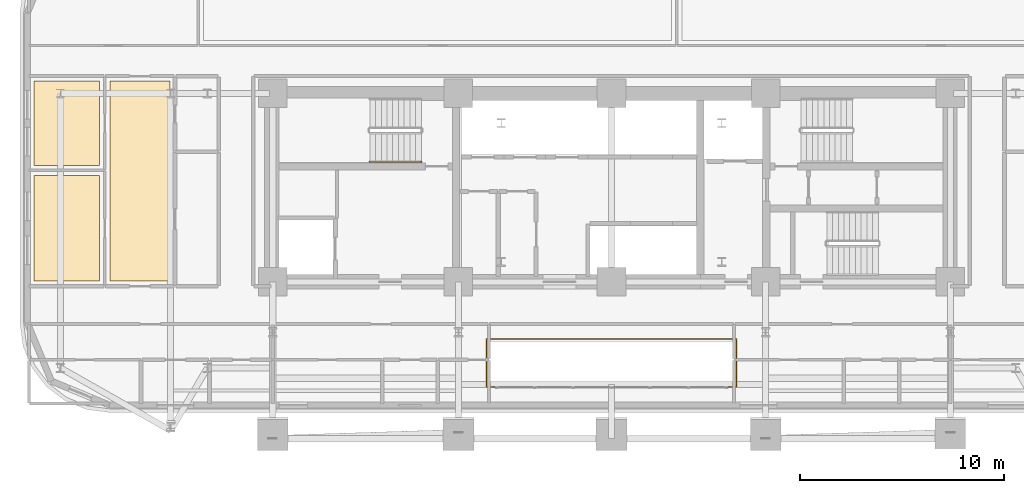
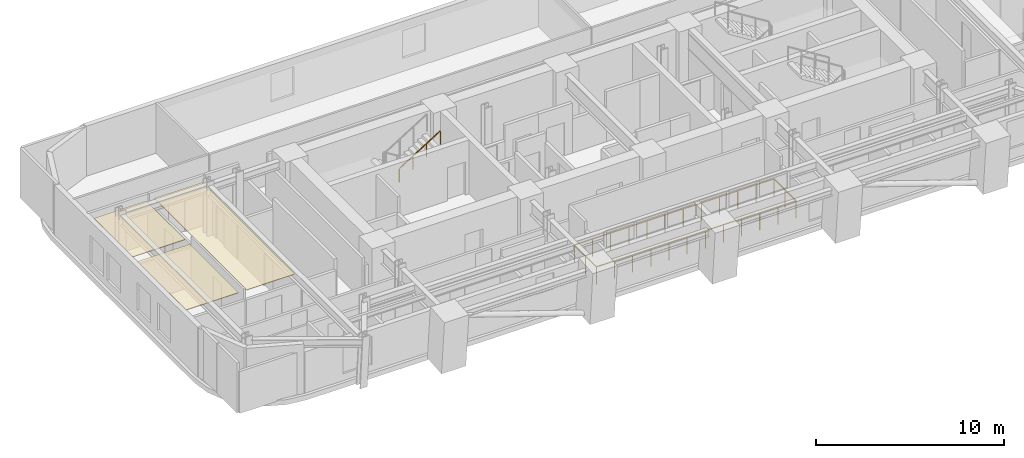
# One storey, part 13 of 16: 3 coverings, 2 railings.
"""IFC4 building model written with IfcOpenShell, lengths in metres."""

from ifc_helpers import new_model, si_unit, direction, frame, origin, origin_2d, place, context, subcontext, project, spatial, polyline, rectangle, outline, extrude, material, layer, layer_set, type_object, element, save


model = new_model("IFC4")

# Units and contexts
model_context = context("Model", 3, precision=1e-05, world=origin(), true_north=direction((0.0, 1.0)))
body_context = subcontext(model_context, "Body", "Model", "MODEL_VIEW")
ifc_project = project(units=[si_unit("LENGTHUNIT", "METRE"), si_unit("AREAUNIT", "SQUARE_METRE"), si_unit("VOLUMEUNIT", "CUBIC_METRE"), si_unit("PLANEANGLEUNIT", "RADIAN"), si_unit("MASSUNIT", "GRAM", prefix="KILO")], contexts=[model_context])

# Site, building, storey
site_placement = place(None, origin())
site = spatial("IfcSite", under=ifc_project, at=site_placement, CompositionType="ELEMENT")
building_placement = place(site_placement, origin())
building = spatial("IfcBuilding", under=site, at=building_placement, Name="Zarnavel Station Tower", CompositionType="ELEMENT")
storey_placement = place(building_placement, frame((0.0, 0.0, 64.0)))
storey = spatial("IfcBuildingStorey", under=building, at=storey_placement, Name="L17", CompositionType="ELEMENT", Elevation=64.0)

# Coverings
ifc_material_1 = material(Name="Perforated Gypsum and Mineral-Wool Acoustic Ceiling", Category="concrete")
ifc_layer = layer(ifc_material_1, 0.0400390625)
ifc_layer_set = layer_set([ifc_layer], Name="COV_CEIL_ACOUSTIC")
covering_type = type_object("IfcCoveringType", Name="COV_CEIL_ACOUSTIC", PredefinedType="CEILING", material=ifc_layer_set)
covering_1_placement = place(storey_placement, frame((0.0, 0.0, 2.919921875)))
element("IfcCovering", 1, at=covering_1_placement, inside=storey, type_object=covering_type, Name="L17 FNWLV Acoustic Ceiling", PredefinedType="CEILING", context=body_context, shape_type="SweptSolid", body=[
    extrude(outline(polyline([(4.22607421875, 27.85009765625), (7.1630859375, 27.85009765625), (7.1630859375, 37.64990234375), (4.22607421875, 37.64990234375), (4.22607421875, 27.85009765625)])), origin(), (0.0, 0.0, 1.0), 0.0400390625),
])
covering_2_placement = place(storey_placement, frame((0.0, 0.0, 2.919921875)))
element("IfcCovering", 2, at=covering_2_placement, inside=storey, type_object=covering_type, Name="L17 FNWB1 Acoustic Ceiling", PredefinedType="CEILING", context=body_context, shape_type="SweptSolid", body=[
    extrude(outline(polyline([(0.510009765625, 27.85009765625), (3.72607421875, 27.85009765625), (3.72607421875, 33.029052734375), (0.510009765625, 33.029052734375), (0.510009765625, 27.85009765625)])), origin(), (0.0, 0.0, 1.0), 0.0400390625),
])
covering_3_placement = place(storey_placement, frame((0.0, 0.0, 2.919921875)))
element("IfcCovering", 3, at=covering_3_placement, inside=storey, type_object=covering_type, Name="L17 FNWB2 Acoustic Ceiling", PredefinedType="CEILING", context=body_context, shape_type="SweptSolid", body=[
    extrude(outline(polyline([(0.510009765625, 33.529052734375), (3.72607421875, 33.529052734375), (3.72607421875, 37.64990234375), (0.510009765625, 37.64990234375), (0.510009765625, 33.529052734375)])), origin(), (0.0, 0.0, 1.0), 0.0400390625),
])

# Railings
ifc_material_2 = material(Name="Painted Steel S355J2 Balustrade", Category="steel")
railing_type_1 = type_object("IfcRailingType", Name="GR_INT_1150", PredefinedType="GUARDRAIL", material=ifc_material_2)
railing_1_placement = place(storey_placement, frame((22.679931640625, 22.679931640625, 0.0)))
element("IfcRailing", 4, at=railing_1_placement, inside=storey, type_object=railing_type_1, Name="L17 Atrium Void Guardrail", PredefinedType="GUARDRAIL", context=body_context, shape_type="SweptSolid", body=[
    extrude(rectangle(XDim=0.048095703125, YDim=0.048095703125, at=origin_2d()), frame((0.001953125, 0.0, 1.1259765625), z_axis=(1.0, 0.0, 0.0), x_axis=(0.0, 1.0, 0.0)), (0.0, 0.0, 1.0), 12.236083984375),
    extrude(rectangle(XDim=0.048095703125, YDim=0.048095703125, at=origin_2d()), frame((12.239990234375, 0.001953125, 1.1259765625), z_axis=(0.0, 1.0, 0.0), x_axis=(-1.0, 0.0, 0.0)), (0.0, 0.0, 1.0), 2.336181640625),
    extrude(rectangle(XDim=0.048095703125, YDim=0.048095703125, at=origin_2d()), frame((12.238037109375, 2.340087890625, 1.1259765625), z_axis=(-1.0, 0.0, 0.0), x_axis=(0.0, -1.0, 0.0)), (0.0, 0.0, 1.0), 12.236083984375),
    extrude(rectangle(XDim=0.048095703125, YDim=0.048095703125, at=origin_2d()), frame((0.0, 2.338134765625, 1.1259765625), z_axis=(0.0, -1.0, 0.0), x_axis=(1.0, 0.0, 0.0)), (0.0, 0.0, 1.0), 2.336181640625),
    extrude(rectangle(XDim=0.0419921875, YDim=0.0419921875, at=origin_2d()), origin(), (0.0, 0.0, 1.0), 1.101806640625),
    extrude(rectangle(XDim=0.0419921875, YDim=0.0419921875, at=origin_2d()), frame((1.11279296875, 0.0, 0.0)), (0.0, 0.0, 1.0), 1.101806640625),
    extrude(rectangle(XDim=0.0419921875, YDim=0.0419921875, at=origin_2d()), frame((2.225341796875, 0.0, 0.0)), (0.0, 0.0, 1.0), 1.101806640625),
    extrude(rectangle(XDim=0.0419921875, YDim=0.0419921875, at=origin_2d()), frame((3.338134765625, 0.0, 0.0)), (0.0, 0.0, 1.0), 1.101806640625),
    extrude(rectangle(XDim=0.0419921875, YDim=0.0419921875, at=origin_2d()), frame((4.450927734375, 0.0, 0.0)), (0.0, 0.0, 1.0), 1.101806640625),
    extrude(rectangle(XDim=0.0419921875, YDim=0.0419921875, at=origin_2d()), frame((5.563720703125, 0.0, 0.0)), (0.0, 0.0, 1.0), 1.101806640625),
    extrude(rectangle(XDim=0.0419921875, YDim=0.0419921875, at=origin_2d()), frame((6.67626953125, 0.0, 0.0)), (0.0, 0.0, 1.0), 1.101806640625),
    extrude(rectangle(XDim=0.0419921875, YDim=0.0419921875, at=origin_2d()), frame((7.7890625, 0.0, 0.0)), (0.0, 0.0, 1.0), 1.101806640625),
    extrude(rectangle(XDim=0.0419921875, YDim=0.0419921875, at=origin_2d()), frame((8.90185546875, 0.0, 0.0)), (0.0, 0.0, 1.0), 1.101806640625),
    extrude(rectangle(XDim=0.0419921875, YDim=0.0419921875, at=origin_2d()), frame((10.0146484375, 0.0, 0.0)), (0.0, 0.0, 1.0), 1.101806640625),
    extrude(rectangle(XDim=0.0419921875, YDim=0.0419921875, at=origin_2d()), frame((11.127197265625, 0.0, 0.0)), (0.0, 0.0, 1.0), 1.101806640625),
    extrude(rectangle(XDim=0.0419921875, YDim=0.0419921875, at=origin_2d()), frame((12.239990234375, 0.0, 0.0)), (0.0, 0.0, 1.0), 1.101806640625),
    extrude(rectangle(XDim=0.0419921875, YDim=0.0419921875, at=origin_2d()), frame((12.239990234375, 1.169921875, 0.0)), (0.0, 0.0, 1.0), 1.101806640625),
    extrude(rectangle(XDim=0.0419921875, YDim=0.0419921875, at=origin_2d()), frame((12.239990234375, 2.340087890625, 0.0)), (0.0, 0.0, 1.0), 1.101806640625),
    extrude(rectangle(XDim=0.0419921875, YDim=0.0419921875, at=origin_2d()), frame((11.127197265625, 2.340087890625, 0.0)), (0.0, 0.0, 1.0), 1.101806640625),
    extrude(rectangle(XDim=0.0419921875, YDim=0.0419921875, at=origin_2d()), frame((10.0146484375, 2.340087890625, 0.0)), (0.0, 0.0, 1.0), 1.101806640625),
    extrude(rectangle(XDim=0.0419921875, YDim=0.0419921875, at=origin_2d()), frame((8.90185546875, 2.340087890625, 0.0)), (0.0, 0.0, 1.0), 1.101806640625),
    extrude(rectangle(XDim=0.0419921875, YDim=0.0419921875, at=origin_2d()), frame((7.7890625, 2.340087890625, 0.0)), (0.0, 0.0, 1.0), 1.101806640625),
    extrude(rectangle(XDim=0.0419921875, YDim=0.0419921875, at=origin_2d()), frame((6.67626953125, 2.340087890625, 0.0)), (0.0, 0.0, 1.0), 1.101806640625),
    extrude(rectangle(XDim=0.0419921875, YDim=0.0419921875, at=origin_2d()), frame((5.563720703125, 2.340087890625, 0.0)), (0.0, 0.0, 1.0), 1.101806640625),
    extrude(rectangle(XDim=0.0419921875, YDim=0.0419921875, at=origin_2d()), frame((4.450927734375, 2.340087890625, 0.0)), (0.0, 0.0, 1.0), 1.101806640625),
    extrude(rectangle(XDim=0.0419921875, YDim=0.0419921875, at=origin_2d()), frame((3.338134765625, 2.340087890625, 0.0)), (0.0, 0.0, 1.0), 1.101806640625),
    extrude(rectangle(XDim=0.0419921875, YDim=0.0419921875, at=origin_2d()), frame((2.225341796875, 2.340087890625, 0.0)), (0.0, 0.0, 1.0), 1.101806640625),
    extrude(rectangle(XDim=0.0419921875, YDim=0.0419921875, at=origin_2d()), frame((1.11279296875, 2.340087890625, 0.0)), (0.0, 0.0, 1.0), 1.101806640625),
    extrude(rectangle(XDim=0.0419921875, YDim=0.0419921875, at=origin_2d()), frame((0.0, 2.340087890625, 0.0)), (0.0, 0.0, 1.0), 1.101806640625),
    extrude(rectangle(XDim=0.0419921875, YDim=0.0419921875, at=origin_2d()), frame((0.0, 1.169921875, 0.0)), (0.0, 0.0, 1.0), 1.101806640625),
])
ifc_material_3 = material(Name="Brushed Stainless Steel S355J2 Handrail", Category="steel")
railing_type_2 = type_object("IfcRailingType", Name="HR_STAIR_900", PredefinedType="HANDRAIL", material=ifc_material_3)
railing_2_placement = place(storey_placement, frame((16.9599609375, 33.7099609375, 1.925048828125)))
element("IfcRailing", 5, at=railing_2_placement, inside=storey, type_object=railing_type_2, Name="L17 ST1 stair handrail 2", PredefinedType="HANDRAIL", context=body_context, shape_type="SweptSolid", body=[
    extrude(rectangle(XDim=0.048095703125, YDim=0.048095703125, at=origin_2d()), frame((0.001708984375, 0.0, 0.876953125), z_axis=(0.848007534815, 0.0, 0.529984170421), x_axis=(0.0, 1.0, 0.0)), (0.0, 0.0, 1.0), 2.9677734375),
    extrude(rectangle(XDim=0.0419921875, YDim=0.0419921875, at=origin_2d()), origin(), (0.0, 0.0, 1.0), 0.851806640625),
    extrude(rectangle(XDim=0.0419921875, YDim=0.0419921875, at=origin_2d()), frame((0.840087890625, 0.0, 0.52490234375)), (0.0, 0.0, 1.0), 0.851806640625),
    extrude(rectangle(XDim=0.0419921875, YDim=0.0419921875, at=origin_2d()), frame((1.679931640625, 0.0, 1.050048828125)), (0.0, 0.0, 1.0), 0.851806640625),
    extrude(rectangle(XDim=0.0419921875, YDim=0.0419921875, at=origin_2d()), frame((2.52001953125, 0.0, 1.574951171875)), (0.0, 0.0, 1.0), 0.851806640625),
])

save(model, "model.ifc")
